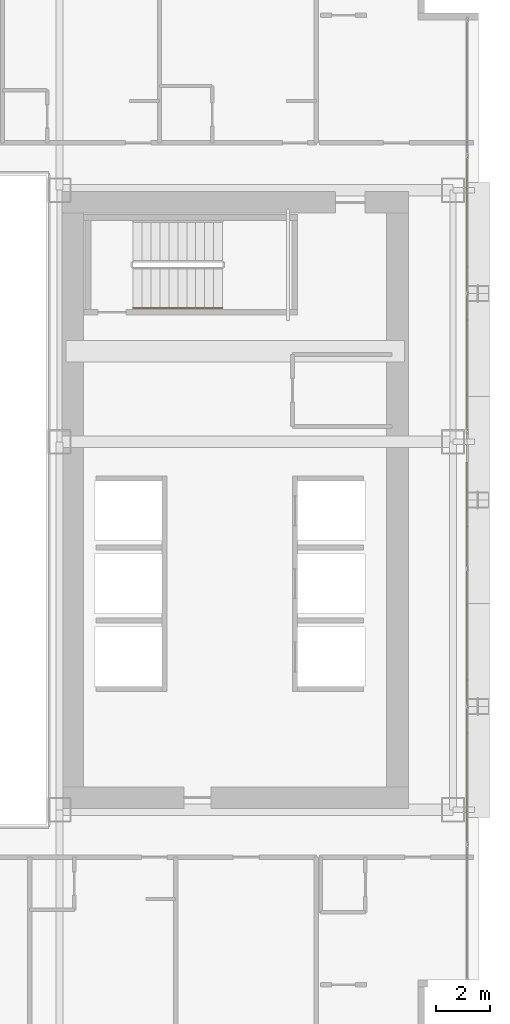
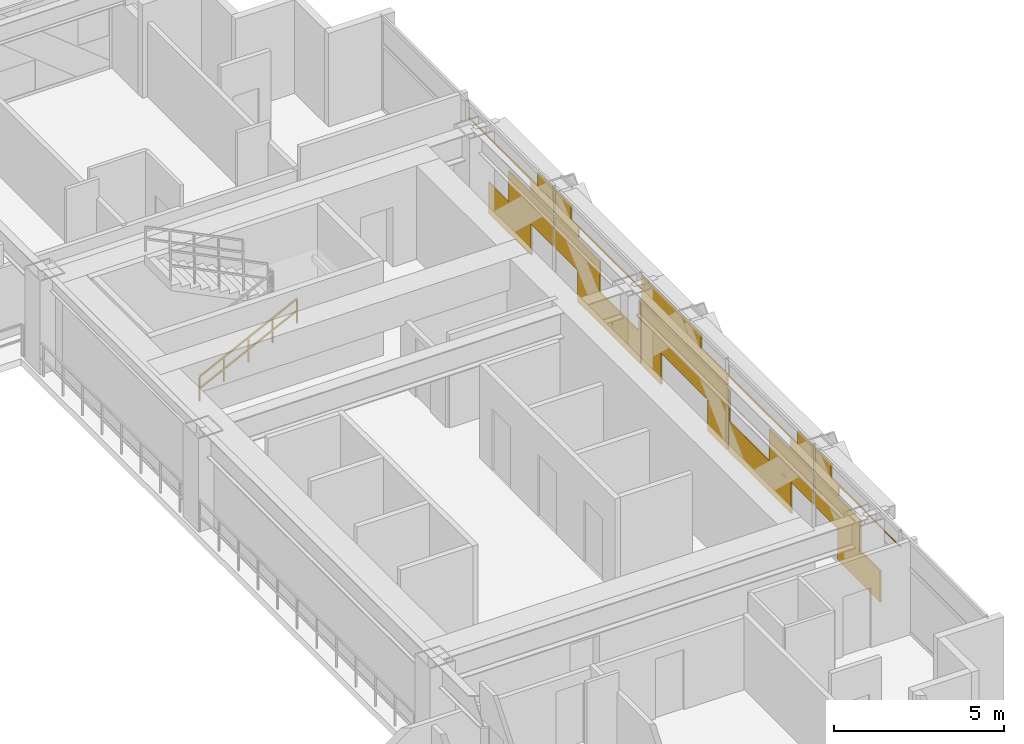
# One storey, part 34 of 35: 1 covering, 1 railing.
"""IFC4 building model written with IfcOpenShell, lengths in metres."""

from ifc_helpers import new_model, si_unit, direction, frame, origin, origin_2d, place, context, subcontext, project, spatial, rectangle, extrude, material, layer, layer_set, type_object, element, save


model = new_model("IFC4")

# Units and contexts
model_context = context("Model", 3, precision=1e-05, world=origin(), true_north=direction((0.0, 1.0)))
body_context = subcontext(model_context, "Body", "Model", "MODEL_VIEW")
ifc_project = project(units=[si_unit("LENGTHUNIT", "METRE"), si_unit("AREAUNIT", "SQUARE_METRE"), si_unit("VOLUMEUNIT", "CUBIC_METRE"), si_unit("PLANEANGLEUNIT", "RADIAN"), si_unit("MASSUNIT", "GRAM", prefix="KILO")], contexts=[model_context])

# Site, building, storey
site_placement = place(None, origin())
site = spatial("IfcSite", under=ifc_project, at=site_placement, CompositionType="ELEMENT")
building_placement = place(site_placement, origin())
building = spatial("IfcBuilding", under=site, at=building_placement, Name="Ocotamira Hotel", CompositionType="ELEMENT")
storey_placement = place(building_placement, frame((0.0, 0.0, 49.199951171875)))
storey = spatial("IfcBuildingStorey", under=building, at=storey_placement, Name="L11", CompositionType="ELEMENT", Elevation=49.199951171875)

# Covering
ifc_material_1 = material(Name="Insulated pale-metal aluminium spandrel panel", Category="aluminium")
ifc_layer = layer(ifc_material_1, 0.044921875)
ifc_layer_set = layer_set([ifc_layer], Name="Insulated pale-metal aluminium spandrel panel")
covering_type = type_object("IfcCoveringType", Name="COV-INFILL-45", PredefinedType="CLADDING", material=ifc_layer_set)
covering_placement = place(storey_placement, origin())
element("IfcCovering", 1, at=covering_placement, inside=storey, type_object=covering_type, Name="L11 Curtain Wall Infill CW-2 CW-L11-E", PredefinedType="CLADDING", context=body_context, shape_type="SweptSolid", body=[
    extrude(rectangle(XDim=2.49658203125, YDim=0.044921875, at=origin_2d()), frame((55.580078125, 15.752685546875, 0.07568359375), z_axis=(0.0, 0.0, 1.0), x_axis=(0.0, 1.0, 0.0)), (0.0, 0.0, 1.0), 1.11767578125),
    extrude(rectangle(XDim=2.640625, YDim=0.044921875, at=origin_2d()), frame((55.580078125, 17.010498046875, 1.1943359375), z_axis=(0.0, 0.0, 1.0), x_axis=(0.0, 1.0, 0.0)), (0.0, 0.0, 1.0), 1.117919921875),
    extrude(rectangle(XDim=5.004638671875, YDim=0.044921875, at=origin_2d()), frame((55.580078125, 15.82861328125, 2.756103515625), z_axis=(0.0, 0.0, 1.0), x_axis=(0.0, 1.0, 0.0)), (0.0, 0.0, 1.0), 0.033203125),
    extrude(rectangle(XDim=1.375, YDim=0.044921875, at=origin_2d()), frame((55.580078125, 17.643310546875, 2.38818359375), z_axis=(0.0, 0.0, 1.0), x_axis=(0.0, 1.0, 0.0)), (0.0, 0.0, 1.0), 0.366943359375),
    extrude(rectangle(XDim=0.948486328125, YDim=0.044921875, at=origin_2d()), frame((55.580078125, 17.856689453125, 2.79052734375), z_axis=(0.0, 0.0, 1.0), x_axis=(0.0, 1.0, 0.0)), (0.0, 0.0, 1.0), 0.484130859375),
    extrude(rectangle(XDim=2.631103515625, YDim=0.044921875, at=origin_2d()), frame((55.580078125, 19.727294921875, 1.1943359375), z_axis=(0.0, 0.0, 1.0), x_axis=(0.0, 1.0, 0.0)), (0.0, 0.0, 1.0), 1.117919921875),
    extrude(rectangle(XDim=3.684326171875, YDim=0.044921875, at=origin_2d()), frame((55.580078125, 21.574462890625, 0.07568359375), z_axis=(0.0, 0.0, 1.0), x_axis=(0.0, 1.0, 0.0)), (0.0, 0.0, 1.0), 1.11767578125),
    extrude(rectangle(XDim=0.093017578125, YDim=0.044921875, at=origin_2d()), frame((55.580078125, 23.3701171875, 1.1943359375), z_axis=(0.0, 0.0, 1.0), x_axis=(0.0, 1.0, 0.0)), (0.0, 0.0, 1.0), 1.117919921875),
    extrude(rectangle(XDim=1.365478515625, YDim=0.044921875, at=origin_2d()), frame((55.580078125, 19.094482421875, 2.38818359375), z_axis=(0.0, 0.0, 1.0), x_axis=(0.0, 1.0, 0.0)), (0.0, 0.0, 1.0), 0.366943359375),
    extrude(rectangle(XDim=5.004638671875, YDim=0.044921875, at=origin_2d()), frame((55.580078125, 20.914306640625, 2.756103515625), z_axis=(0.0, 0.0, 1.0), x_axis=(0.0, 1.0, 0.0)), (0.0, 0.0, 1.0), 0.033203125),
    extrude(rectangle(XDim=0.93896484375, YDim=0.044921875, at=origin_2d()), frame((55.580078125, 18.88134765625, 2.79052734375), z_axis=(0.0, 0.0, 1.0), x_axis=(0.0, 1.0, 0.0)), (0.0, 0.0, 1.0), 0.484130859375),
    extrude(rectangle(XDim=1.13671875, YDim=0.044921875, at=origin_2d()), frame((55.580078125, 24.06591796875, 0.07568359375), z_axis=(0.0, 0.0, 1.0), x_axis=(0.0, 1.0, 0.0)), (0.0, 0.0, 1.0), 1.11767578125),
    extrude(rectangle(XDim=5.004638671875, YDim=0.044921875, at=origin_2d()), frame((55.580078125, 26.0, 1.1943359375), z_axis=(0.0, 0.0, 1.0), x_axis=(0.0, 1.0, 0.0)), (0.0, 0.0, 1.0), 1.117919921875),
    extrude(rectangle(XDim=1.13671875, YDim=0.044921875, at=origin_2d()), frame((55.580078125, 27.93408203125, 0.07568359375), z_axis=(0.0, 0.0, 1.0), x_axis=(0.0, 1.0, 0.0)), (0.0, 0.0, 1.0), 1.11767578125),
    extrude(rectangle(XDim=5.004638671875, YDim=0.044921875, at=origin_2d()), frame((55.580078125, 26.0, 2.387939453125), z_axis=(0.0, 0.0, 1.0), x_axis=(0.0, 1.0, 0.0)), (0.0, 0.0, 1.0), 0.4013671875),
    extrude(rectangle(XDim=3.486572265625, YDim=0.044921875, at=origin_2d()), frame((55.580078125, 26.759033203125, 2.79052734375), z_axis=(0.0, 0.0, 1.0), x_axis=(0.0, 1.0, 0.0)), (0.0, 0.0, 1.0), 0.484130859375),
    extrude(rectangle(XDim=3.684326171875, YDim=0.044921875, at=origin_2d()), frame((55.580078125, 30.425537109375, 0.07568359375), z_axis=(0.0, 0.0, 1.0), x_axis=(0.0, 1.0, 0.0)), (0.0, 0.0, 1.0), 1.11767578125),
    extrude(rectangle(XDim=0.093017578125, YDim=0.044921875, at=origin_2d()), frame((55.580078125, 28.6298828125, 1.1943359375), z_axis=(0.0, 0.0, 1.0), x_axis=(0.0, 1.0, 0.0)), (0.0, 0.0, 1.0), 1.117919921875),
    extrude(rectangle(XDim=2.631103515625, YDim=0.044921875, at=origin_2d()), frame((55.580078125, 32.272705078125, 1.1943359375), z_axis=(0.0, 0.0, 1.0), x_axis=(0.0, 1.0, 0.0)), (0.0, 0.0, 1.0), 1.117919921875),
    extrude(rectangle(XDim=5.004638671875, YDim=0.044921875, at=origin_2d()), frame((55.580078125, 31.085693359375, 2.756103515625), z_axis=(0.0, 0.0, 1.0), x_axis=(0.0, 1.0, 0.0)), (0.0, 0.0, 1.0), 0.033203125),
    extrude(rectangle(XDim=1.365478515625, YDim=0.044921875, at=origin_2d()), frame((55.580078125, 32.905517578125, 2.38818359375), z_axis=(0.0, 0.0, 1.0), x_axis=(0.0, 1.0, 0.0)), (0.0, 0.0, 1.0), 0.366943359375),
    extrude(rectangle(XDim=0.93896484375, YDim=0.044921875, at=origin_2d()), frame((55.580078125, 33.11865234375, 2.79052734375), z_axis=(0.0, 0.0, 1.0), x_axis=(0.0, 1.0, 0.0)), (0.0, 0.0, 1.0), 0.484130859375),
    extrude(rectangle(XDim=2.640625, YDim=0.044921875, at=origin_2d()), frame((55.580078125, 34.989501953125, 1.1943359375), z_axis=(0.0, 0.0, 1.0), x_axis=(0.0, 1.0, 0.0)), (0.0, 0.0, 1.0), 1.117919921875),
    extrude(rectangle(XDim=2.49658203125, YDim=0.044921875, at=origin_2d()), frame((55.580078125, 36.247314453125, 0.07568359375), z_axis=(0.0, 0.0, 1.0), x_axis=(0.0, 1.0, 0.0)), (0.0, 0.0, 1.0), 1.11767578125),
    extrude(rectangle(XDim=1.375, YDim=0.044921875, at=origin_2d()), frame((55.580078125, 34.356689453125, 2.38818359375), z_axis=(0.0, 0.0, 1.0), x_axis=(0.0, 1.0, 0.0)), (0.0, 0.0, 1.0), 0.366943359375),
    extrude(rectangle(XDim=5.004638671875, YDim=0.044921875, at=origin_2d()), frame((55.580078125, 36.17138671875, 2.756103515625), z_axis=(0.0, 0.0, 1.0), x_axis=(0.0, 1.0, 0.0)), (0.0, 0.0, 1.0), 0.033203125),
    extrude(rectangle(XDim=0.948486328125, YDim=0.044921875, at=origin_2d()), frame((55.580078125, 34.143310546875, 2.79052734375), z_axis=(0.0, 0.0, 1.0), x_axis=(0.0, 1.0, 0.0)), (0.0, 0.0, 1.0), 0.484130859375),
])

# Railing
ifc_material_2 = material(Name="Brushed stainless steel handrail", Category="steel")
railing_type = type_object("IfcRailingType", Name="RL-HAND-900", PredefinedType="HANDRAIL", material=ifc_material_2)
railing_placement = place(storey_placement, frame((43.22998046875, 33.10009765625, 0.327392578125)))
element("IfcRailing", 2, at=railing_placement, inside=storey, type_object=railing_type, Name="L11 ST-4 stair handrail 1", PredefinedType="HANDRAIL", context=body_context, shape_type="SweptSolid", body=[
    extrude(rectangle(XDim=0.048095703125, YDim=0.048095703125, at=origin_2d()), frame((0.0, 0.0, 0.8759765625), z_axis=(0.895920123917, 0.0, 0.444215186098), x_axis=(0.0, 1.0, 0.0)), (0.0, 0.0, 1.0), 3.683349609375),
    extrude(rectangle(XDim=0.048095703125, YDim=0.048095703125, at=origin_2d()), frame((0.0, 0.0, 0.449951171875), z_axis=(0.895920123917, 0.0, 0.444215186098), x_axis=(0.0, 1.0, 0.0)), (0.0, 0.0, 1.0), 3.683349609375),
    extrude(rectangle(XDim=0.0419921875, YDim=0.0419921875, at=origin_2d()), origin(), (0.0, 0.0, 1.0), 0.851806640625),
    extrude(rectangle(XDim=0.0419921875, YDim=0.0419921875, at=origin_2d()), frame((0.824951171875, 0.0, 0.4091796875)), (0.0, 0.0, 1.0), 0.851806640625),
    extrude(rectangle(XDim=0.0419921875, YDim=0.0419921875, at=origin_2d()), frame((1.64990234375, 0.0, 0.818115234375)), (0.0, 0.0, 1.0), 0.851806640625),
    extrude(rectangle(XDim=0.0419921875, YDim=0.0419921875, at=origin_2d()), frame((2.47509765625, 0.0, 1.22705078125)), (0.0, 0.0, 1.0), 0.851806640625),
    extrude(rectangle(XDim=0.0419921875, YDim=0.0419921875, at=origin_2d()), frame((3.300048828125, 0.0, 1.63623046875)), (0.0, 0.0, 1.0), 0.851806640625),
])

save(model, "model.ifc")
